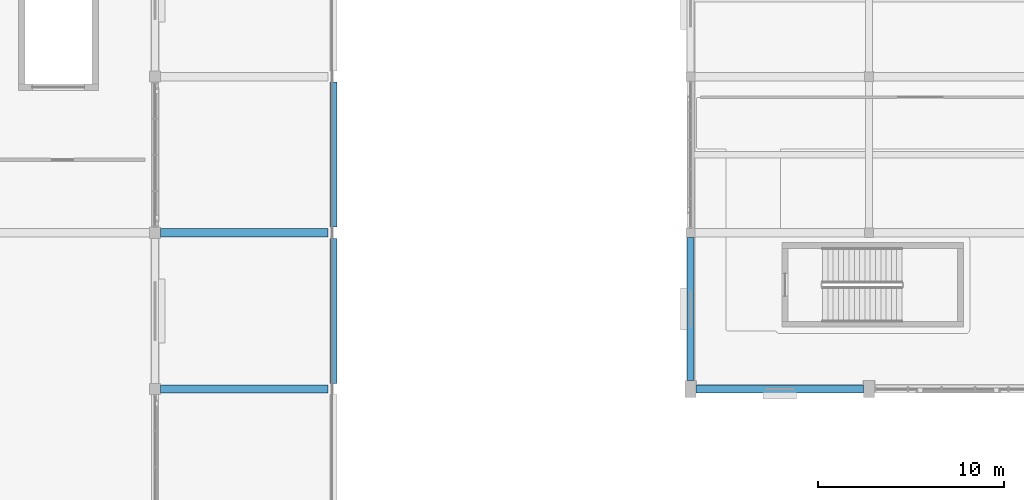
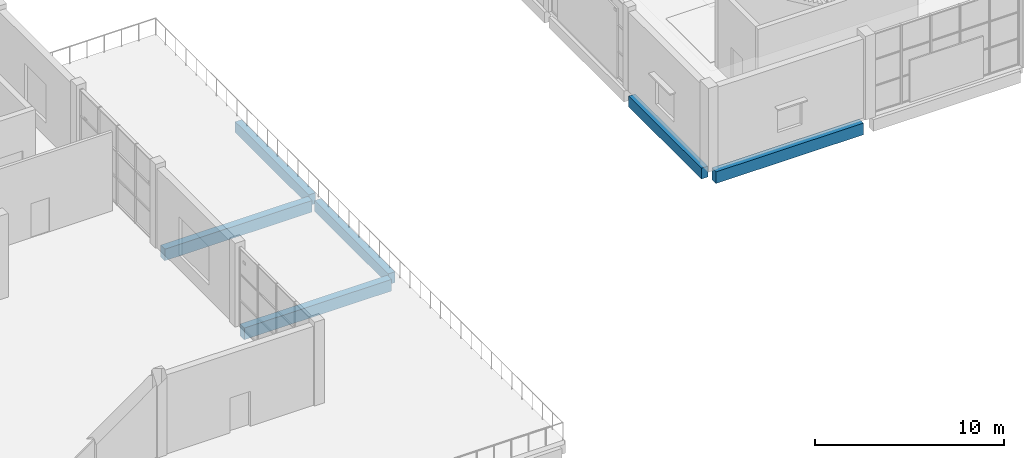
# One storey, part 19 of 72: 6 beams.
"""IFC4 building model written with IfcOpenShell, lengths in metres."""

import ifcopenshell
import ifcopenshell.guid

model = None  # the IFC model being written
_history = None  # IfcOwnerHistory: only IFC2X3 demands one
_inside = {}  # id of a spatial element -> (the spatial element, [elements in it])
_under = {}  # id of a project, library or spatial element -> (it, [spatial elements below it])
_declared = {}  # id of a project -> (the project, [libraries it declares])
_typed = {}  # id of a type object -> (the type object, [elements of that type])
_made_of = {}  # id of a material, layer set ... -> (it, [elements and type objects made of it])


def new_model(schema):
    """Start an empty IFC model of exactly this schema.

    Asked for "IFC4X3", IfcOpenShell would pick the latest addendum, in which some entities
    have other attributes; the version numbers below select the first issue.
    IFC2X3 requires an IfcOwnerHistory on every rooted entity: one is made here for all.
    """
    global model, _history
    if schema == "IFC4X3":
        model = ifcopenshell.file(schema_version=(4, 3, 0, 0))
    else:
        model = ifcopenshell.file(schema=schema)
    _inside.clear()
    _under.clear()
    _declared.clear()
    _typed.clear()
    _made_of.clear()
    _history = None
    if model.schema == "IFC2X3":
        org = make("IfcOrganization", Name="unknown")
        user = make(
            "IfcPersonAndOrganization",
            ThePerson=make("IfcPerson", FamilyName="unknown"),
            TheOrganization=org,
        )
        app = make(
            "IfcApplication",
            ApplicationDeveloper=org,
            Version="unknown",
            ApplicationFullName="unknown",
            ApplicationIdentifier="unknown",
        )
        _history = make(
            "IfcOwnerHistory",
            OwningUser=user,
            OwningApplication=app,
            ChangeAction="ADDED",
            CreationDate=0,
        )
    return model


def make(cls, **values):
    """One entity of the class cls with the attributes given. An attribute that is None is left unset."""
    return model.create_entity(
        cls, **{name: value for name, value in values.items() if value is not None}
    )


def rooted(cls, **values):
    """An entity with a GlobalId (a new one), such as an element, a storey or a relation."""
    return make(cls, GlobalId=ifcopenshell.guid.new(), OwnerHistory=_history, **values)


def si_unit(unit_type, name, prefix=None):
    """IfcSIUnit, for example si_unit("LENGTHUNIT", "METRE", prefix="MILLI")."""
    return make("IfcSIUnit", UnitType=unit_type, Prefix=prefix, Name=name)


def assignment(units):
    """IfcUnitAssignment: the units of a project."""
    return None if units is None else make("IfcUnitAssignment", Units=units)


def point(xyz):
    """IfcCartesianPoint."""
    return None if xyz is None else make("IfcCartesianPoint", Coordinates=xyz)


def direction(xyz):
    """IfcDirection."""
    return None if xyz is None else make("IfcDirection", DirectionRatios=xyz)


def frame(location, z_axis=None, x_axis=None):
    """IfcAxis2Placement3D, a coordinate frame: its origin and axes. An axis left out is left unset."""
    return make(
        "IfcAxis2Placement3D",
        Location=point(location),
        Axis=direction(z_axis),
        RefDirection=direction(x_axis),
    )


def frame_2d(location, x_axis=None):
    """IfcAxis2Placement2D, a coordinate frame in the plane: its origin and x axis."""
    return make(
        "IfcAxis2Placement2D", Location=point(location), RefDirection=direction(x_axis)
    )


def origin():
    """The frame at (0, 0, 0) with its axes left unset."""
    return frame((0.0, 0.0, 0.0))


def origin_2d():
    """The frame at (0, 0) in the plane with its x axis left unset."""
    return frame_2d((0.0, 0.0))


def place(relative_to, where):
    """IfcLocalPlacement: puts the frame where relative to a parent placement (None: the world)."""
    return make(
        "IfcLocalPlacement", PlacementRelTo=relative_to, RelativePlacement=where
    )


def context(
    kind, dimensions, precision=None, world=None, true_north=None, identifier=None
):
    """IfcGeometricRepresentationContext, for example the 3D "Model" context."""
    return make(
        "IfcGeometricRepresentationContext",
        ContextIdentifier=identifier,
        ContextType=kind,
        CoordinateSpaceDimension=dimensions,
        Precision=precision,
        WorldCoordinateSystem=world,
        TrueNorth=true_north,
    )


def subcontext(parent, identifier, kind, view, scale=None):
    """IfcGeometricRepresentationSubContext, for example "Body" below "Model"."""
    return make(
        "IfcGeometricRepresentationSubContext",
        ContextIdentifier=identifier,
        ContextType=kind,
        ParentContext=parent,
        TargetScale=scale,
        TargetView=view,
    )


def project(units=None, contexts=None):
    """IfcProject with its units and contexts."""
    return rooted(
        "IfcProject",
        Name="project",
        RepresentationContexts=contexts,
        UnitsInContext=assignment(units),
    )


def spatial(cls, under=None, at=None, **own):
    """A site, building, storey or space (cls), placed at a placement, below another one or the project."""
    s = rooted(cls, ObjectPlacement=at, **own)
    if under is not None:
        _under.setdefault(under.id(), (under, []))[1].append(s)
    return s


def profile(cls, at=None, kind="AREA", **sizes):
    """A parametric profile (cls). Its sizes go by their IFC names, for example OverallWidth=200.0."""
    return make(cls, ProfileType=kind, Position=at, **sizes)


def rectangle(**sizes):
    """IfcRectangleProfileDef."""
    return profile("IfcRectangleProfileDef", **sizes)


def extrude(swept, where, along, depth):
    """IfcExtrudedAreaSolid: the profile swept, set in the frame where, extruded along a direction by depth."""
    return make(
        "IfcExtrudedAreaSolid",
        SweptArea=swept,
        Position=where,
        ExtrudedDirection=direction(along),
        Depth=depth,
    )


def shape(context_of_items, identifier, shape_type, items):
    """IfcShapeRepresentation: the items that make up one representation, for example the "Body"."""
    return make(
        "IfcShapeRepresentation",
        ContextOfItems=context_of_items,
        RepresentationIdentifier=identifier,
        RepresentationType=shape_type,
        Items=items,
    )


def material(Name=None, Category=None):
    """IfcMaterial."""
    return make("IfcMaterial", Name=Name, Category=Category)


def material_profile(
    of_material, cross_section, Name=None, Category=None, Priority=None
):
    """IfcMaterialProfile: a cross section and its material."""
    return make(
        "IfcMaterialProfile",
        Name=Name,
        Material=of_material,
        Profile=cross_section,
        Priority=Priority,
        Category=Category,
    )


def profile_set(profiles, Name=None, composite=None):
    """IfcMaterialProfileSet."""
    return make(
        "IfcMaterialProfileSet",
        Name=Name,
        MaterialProfiles=profiles,
        CompositeProfile=composite,
    )


def made_of(thing, what):
    """Note that an element or type object is made of a material, layer set ...; save() writes the relation."""
    if what is not None:
        _made_of.setdefault(what.id(), (what, []))[1].append(thing)
    return thing


def type_object(cls, material=None, **own):
    """A type object (cls), such as IfcWallType, which elements share."""
    return made_of(rooted(cls, **own), material)


def element(
    cls,
    number,
    at=None,
    inside=None,
    cuts=None,
    type_object=None,
    material=None,
    context=None,
    identifier="Body",
    shape_type=None,
    held_by="IfcProductDefinitionShape",
    body=None,
    shapes=None,
    **own,
):
    """One element of the class cls, such as IfcWall. Its Tag is "e" and its number.

    at: its placement. inside: the storey or other place that contains it. cuts: it is an
    opening in that element (IfcRelVoidsElement). A single representation is given by context,
    identifier, shape_type and body (its items); several are given by shapes. held_by: the class
    of the entity that holds the representations. save() writes the other relations.
    """
    e = rooted(cls, Tag="e%d" % number, ObjectPlacement=at, **own)
    if body is not None:
        shapes = [shape(context, identifier, shape_type, body)]
    if shapes is not None:
        e.Representation = make(held_by, Representations=shapes)
    if inside is not None:
        _inside.setdefault(inside.id(), (inside, []))[1].append(e)
    if cuts is not None:
        rooted(
            "IfcRelVoidsElement", RelatingBuildingElement=cuts, RelatedOpeningElement=e
        )
    if type_object is not None:
        _typed.setdefault(type_object.id(), (type_object, []))[1].append(e)
    return made_of(e, material)


def aggregate(whole, parts):
    """IfcRelAggregates: a whole, such as a stair, and the parts it consists of."""
    return rooted("IfcRelAggregates", RelatingObject=whole, RelatedObjects=parts)


def save(model, path):
    """Write the relations noted so far, then the file.

    IfcRelAggregates (storeys below a building ...), IfcRelContainedInSpatialStructure (elements
    in a storey), IfcRelDefinesByType, IfcRelAssociatesMaterial and IfcRelDeclares: one each for
    every whole, place, type object, material and project.
    """
    for whole, parts in _under.values():
        aggregate(whole, parts)
    for where, things in _inside.values():
        rooted(
            "IfcRelContainedInSpatialStructure",
            RelatedElements=things,
            RelatingStructure=where,
        )
    for kind, things in _typed.values():
        rooted("IfcRelDefinesByType", RelatedObjects=things, RelatingType=kind)
    for what, things in _made_of.values():
        rooted("IfcRelAssociatesMaterial", RelatedObjects=things, RelatingMaterial=what)
    for by, libraries in _declared.values():
        rooted("IfcRelDeclares", RelatingContext=by, RelatedDefinitions=libraries)
    model.write(path)


model = new_model("IFC4")

# Units and contexts
model_context = context("Model", 3, precision=1e-05, world=origin(), true_north=direction((0.0, 1.0)))
body_context = subcontext(model_context, "Body", "Model", "MODEL_VIEW")
ifc_project = project(units=[si_unit("LENGTHUNIT", "METRE"), si_unit("AREAUNIT", "SQUARE_METRE"), si_unit("VOLUMEUNIT", "CUBIC_METRE"), si_unit("PLANEANGLEUNIT", "RADIAN"), si_unit("MASSUNIT", "GRAM", prefix="KILO")], contexts=[model_context])

# Site, building, storey
site_placement = place(None, origin())
site = spatial("IfcSite", under=ifc_project, at=site_placement, CompositionType="ELEMENT")
building_placement = place(site_placement, origin())
building = spatial("IfcBuilding", under=site, at=building_placement, Name="Shalvenor Court Art Gallery", CompositionType="ELEMENT")
storey_placement = place(building_placement, frame((0.0, 0.0, 11.39990234375)))
storey = spatial("IfcBuildingStorey", under=building, at=storey_placement, Name="L02", CompositionType="ELEMENT", Elevation=11.39990234375)

# Beams
ifc_material_1 = material(Name="Concrete C40/50", Category="concrete")
ifc_material_profile_1 = material_profile(ifc_material_1, rectangle(XDim=0.449951171875, YDim=0.75, at=origin_2d()), Name="RC 450x750")
ifc_profile_set_1 = profile_set([ifc_material_profile_1], Name="Concrete C40/50")
beam_type_1 = type_object("IfcBeamType", Name="B-04", PredefinedType="BEAM", material=ifc_profile_set_1)
for number, where, z_axis, x_axis, name in (
    (1, (29.10009765625, 97.199951171875, -0.69482421875), (1.0, 0.0, 0.0), (0.0, 1.0, 0.0), "L02 Girder BM-L02-B-04-0872"),
    (2, (57.89990234375, 97.199951171875, -0.69482421875), (1.0, 0.0, 0.0), (0.0, 1.0, 0.0), "L02 Girder BM-L02-B-04-0873"),
    (3, (29.10009765625, 105.60009765625, -0.69482421875), (1.0, 0.0, 0.0), (0.0, 1.0, 0.0), "L02 Girder BM-L02-B-04-0887"),
):
    element("IfcBeam", number, at=place(storey_placement, frame(where, z_axis=z_axis, x_axis=x_axis)), inside=storey, type_object=beam_type_1, Name=name, PredefinedType="BEAM", context=body_context, shape_type="SweptSolid", body=[
        extrude(rectangle(XDim=0.449951171875, YDim=0.75, at=origin_2d()), origin(), (0.0, 0.0, 1.0), 9.0),
    ])
ifc_material_2 = material(Name="Concrete C40/50", Category="concrete")
ifc_material_profile_2 = material_profile(ifc_material_2, rectangle(XDim=0.39990234375, YDim=0.699951171875, at=origin_2d()), Name="RC 400x700")
ifc_profile_set_2 = profile_set([ifc_material_profile_2], Name="Concrete C40/50")
beam_type_2 = type_object("IfcBeamType", Name="B-05", PredefinedType="BEAM", material=ifc_profile_set_2)
for number, where, z_axis, x_axis, name in (
    (4, (38.39990234375, 97.5, -0.669921875), (0.0, 1.0, 0.0), (-1.0, 0.0, 0.0), "L02 Girder BM-L02-B-05-0720"),
    (5, (38.39990234375, 105.89990234375, -0.669921875), (0.0, 1.0, 0.0), (-1.0, 0.0, 0.0), "L02 Girder BM-L02-B-05-0721"),
):
    element("IfcBeam", number, at=place(storey_placement, frame(where, z_axis=z_axis, x_axis=x_axis)), inside=storey, type_object=beam_type_2, Name=name, PredefinedType="BEAM", context=body_context, shape_type="SweptSolid", body=[
        extrude(rectangle(XDim=0.39990234375, YDim=0.699951171875, at=origin_2d()), origin(), (0.0, 0.0, 1.0), 7.800048828125),
    ])
beam_placement = place(storey_placement, frame((57.60009765625, 97.64990234375, -0.669921875), z_axis=(0.0, 1.0, 0.0), x_axis=(-1.0, 0.0, 0.0)))
element("IfcBeam", 6, at=beam_placement, inside=storey, type_object=beam_type_2, Name="L02 Girder BM-L02-B-05-0728", PredefinedType="BEAM", context=body_context, shape_type="SweptSolid", body=[
    extrude(rectangle(XDim=0.39990234375, YDim=0.699951171875, at=origin_2d()), origin(), (0.0, 0.0, 1.0), 7.7001953125),
])

save(model, "model.ifc")
